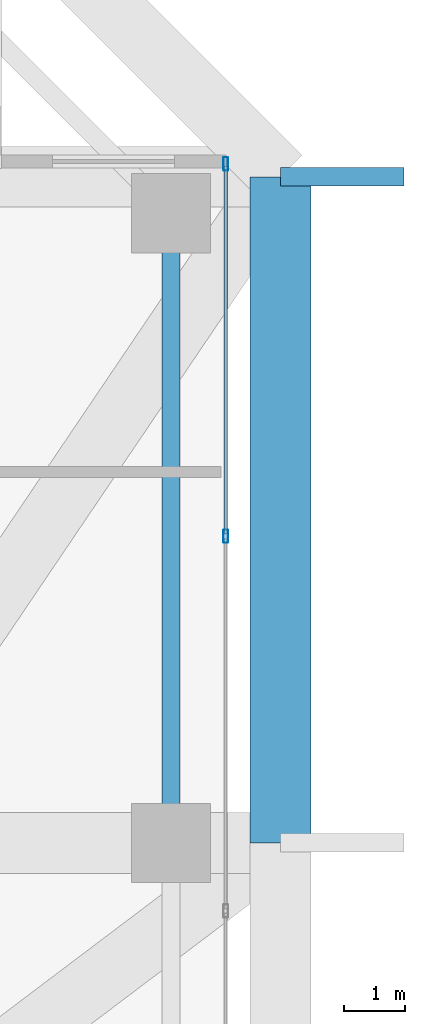
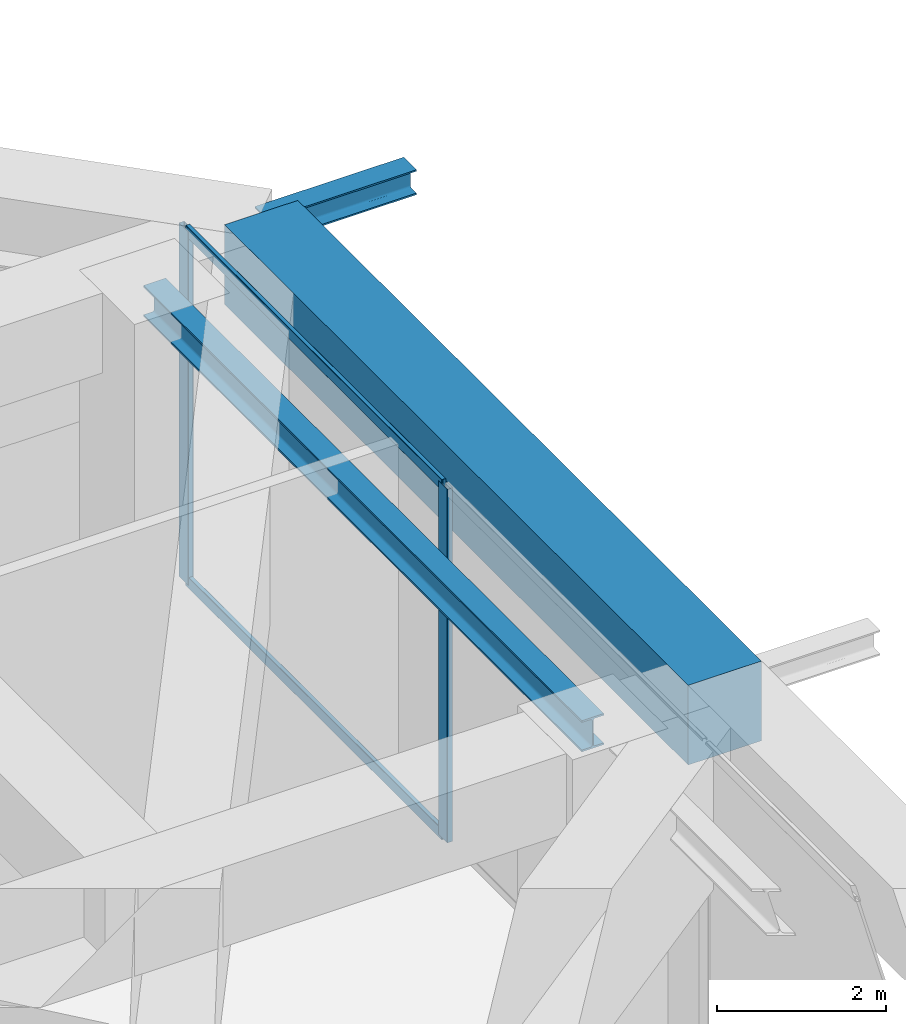
# One storey, part 29 of 38: 4 members, 3 beams, 1 element without a shape of its own.
"""IFC4 building model written with IfcOpenShell, lengths in metres."""

from ifc_helpers import new_model, si_unit, direction, frame, origin, origin_2d, place, context, subcontext, project, spatial, rectangle, hollow_rectangle, i_section, extrude, source, transform, mapped, material, layer, layer_set, material_profile, profile_set, type_object, element, aggregate, save


model = new_model("IFC4")

# Units and contexts
model_context = context("Model", 3, precision=1e-05, world=origin(), true_north=direction((0.0, 1.0)))
body_context = subcontext(model_context, "Body", "Model", "MODEL_VIEW")
ifc_project = project(units=[si_unit("LENGTHUNIT", "METRE"), si_unit("AREAUNIT", "SQUARE_METRE"), si_unit("VOLUMEUNIT", "CUBIC_METRE"), si_unit("PLANEANGLEUNIT", "RADIAN"), si_unit("MASSUNIT", "GRAM", prefix="KILO")], contexts=[model_context])

# Site, building, storey
site_placement = place(None, origin())
site = spatial("IfcSite", under=ifc_project, at=site_placement, CompositionType="ELEMENT")
building_placement = place(site_placement, origin())
building = spatial("IfcBuilding", under=site, at=building_placement, Name="Serunith Strait Residences", CompositionType="ELEMENT")
storey_placement = place(building_placement, frame((0.0, 0.0, 204.89990234375)))
storey = spatial("IfcBuildingStorey", under=building, at=storey_placement, Name="L51", CompositionType="ELEMENT", Elevation=204.89990234375)

# Beams
ifc_material_1 = material(Name="Steel S355J2", Category="steel")
ifc_material_profile_1 = material_profile(ifc_material_1, i_section(OverallWidth=0.300048828125, OverallDepth=0.360107421875, WebThickness=0.012451171875, FlangeThickness=0.0224609375, FilletRadius=0.027099609375, at=origin_2d()), Name="HEB 360")
ifc_profile_set_1 = profile_set([ifc_material_profile_1], Name="Steel S355J2")
beam_type_1 = type_object("IfcBeamType", Name="BM-HEB360", PredefinedType="BEAM", material=ifc_profile_set_1)
shared_shape_1 = source(origin(), body_context, "Body", "SweptSolid", [
    extrude(i_section(OverallWidth=0.300048828125, OverallDepth=0.360107421875, WebThickness=0.012451171875, FlangeThickness=0.0224609375, FilletRadius=0.027099609375, at=origin_2d()), origin(), (0.0, 0.0, 1.0), 2.030029296875),
])
beam_1_placement = place(storey_placement, frame((56.5, 40.35009765625, 4.927001953125), z_axis=(1.0, 0.0, 0.0), x_axis=(0.0, 1.0, 0.0)))
element("IfcBeam", 1, at=beam_1_placement, inside=storey, type_object=beam_type_1, Name="L52 Cantilevered Balcony Rib TC-E4", PredefinedType="BEAM", context=body_context, shape_type="MappedRepresentation", body=[
    mapped(shared_shape_1, transform((0.0, 0.0, 0.0), scale=1.0)),
])
ifc_material_profile_2 = material_profile(ifc_material_1, i_section(OverallWidth=0.300048828125, OverallDepth=0.449951171875, WebThickness=0.013916015625, FlangeThickness=0.02587890625, FilletRadius=0.027099609375, at=origin_2d()), Name="HEB 450")
ifc_profile_set_2 = profile_set([ifc_material_profile_2], Name="Steel S355J2")
beam_type_2 = type_object("IfcBeamType", Name="BM-HEB450", PredefinedType="BEAM", material=ifc_profile_set_2)
shared_shape_2 = source(origin(), body_context, "Body", "SweptSolid", [
    extrude(i_section(OverallWidth=0.300048828125, OverallDepth=0.449951171875, WebThickness=0.013916015625, FlangeThickness=0.02587890625, FilletRadius=0.027099609375, at=origin_2d()), origin(), (0.0, 0.0, 1.0), 10.35009765625),
])
beam_2_placement = place(storey_placement, frame((54.699951171875, 29.39990234375, 4.882080078125), z_axis=(0.0, 1.0, 0.0), x_axis=(-1.0, 0.0, 0.0)))
element("IfcBeam", 2, at=beam_2_placement, inside=storey, type_object=beam_type_2, Name="L51 Perimeter Ring Beam 07", PredefinedType="BEAM", context=body_context, shape_type="MappedRepresentation", body=[
    mapped(shared_shape_2, transform((0.0, 0.0, 0.0), scale=1.0)),
])
ifc_material_2 = material(Name="Concrete C80/95", Category="concrete")
ifc_material_profile_3 = material_profile(ifc_material_2, rectangle(XDim=1.0, YDim=1.14990234375, at=origin_2d()), Name="RC 1000x1150")
ifc_profile_set_3 = profile_set([ifc_material_profile_3], Name="Concrete C80/95")
beam_type_3 = type_object("IfcBeamType", Name="BM-XFER-1000x1150", PredefinedType="BEAM", material=ifc_profile_set_3)
shared_shape_3 = source(origin(), body_context, "Body", "SweptSolid", [
    extrude(rectangle(XDim=1.0, YDim=1.14990234375, at=origin_2d()), origin(), (0.0, 0.0, 1.0), 10.9501953125),
])
beam_3_placement = place(storey_placement, frame((56.5, 29.39990234375, 4.53515625), z_axis=(0.0, 1.0, 0.0), x_axis=(-1.0, 0.0, 0.0)))
element("IfcBeam", 3, at=beam_3_placement, inside=storey, type_object=beam_type_3, Name="L51 Flare Upper Ring Transfer Girder 07", PredefinedType="BEAM", context=body_context, shape_type="MappedRepresentation", body=[
    mapped(shared_shape_3, transform((0.0, 0.0, 0.0), scale=1.0)),
])

# Curtain wall, members
ifc_material_3 = material(Name="Pale-Silver PVDF Aluminium", Category="aluminium")
ifc_layer = layer(ifc_material_3, 0.199951171875, Name="Pale-Silver PVDF Aluminium")
ifc_layer_set = layer_set([ifc_layer], Name="Pale-Silver PVDF Aluminium")
curtain_wall_type = type_object("IfcCurtainWallType", Name="CW-SYS3", PredefinedType="NOTDEFINED", material=ifc_layer_set)
curtain_wall_placement = place(storey_placement, origin())
curtain_wall = element("IfcCurtainWall", 4, at=curtain_wall_placement, inside=storey, type_object=curtain_wall_type, Name="L51 E Unitised Fritted Curtain Wall", PredefinedType="NOTDEFINED")
ifc_material_profile_4 = material_profile(ifc_material_3, hollow_rectangle(XDim=0.074951171875, YDim=0.219970703125, WallThickness=0.00390625, InnerFilletRadius=0.006103515625, OuterFilletRadius=0.010009765625, at=origin_2d()), Name="ALU 220x75x4")
ifc_profile_set_4 = profile_set([ifc_material_profile_4], Name="Pale-Silver PVDF Aluminium")
member_type_1 = type_object("IfcMemberType", Name="CW-SYS3-MULL", PredefinedType="MULLION", material=ifc_profile_set_4)
shared_shape_4 = source(origin(), body_context, "Body", "SweptSolid", [
    extrude(hollow_rectangle(XDim=0.074951171875, YDim=0.219970703125, WallThickness=0.00390625, InnerFilletRadius=0.006103515625, OuterFilletRadius=0.010009765625, at=origin_2d()), origin(), (0.0, 0.0, 1.0), 5.09521484375),
])
member_1_placement = place(storey_placement, frame((55.60009765625, 34.43994140625, 0.0), z_axis=(0.0, 0.0, 1.0), x_axis=(-1.0, 0.0, 0.0)))
member_1 = element("IfcMember", 5, at=member_1_placement, type_object=member_type_1, Name="CW-3 mullion 5", PredefinedType="MULLION", context=body_context, shape_type="MappedRepresentation", body=[
    mapped(shared_shape_4, transform((0.0, 0.0, 0.0), scale=1.0)),
])
member_2_placement = place(storey_placement, frame((55.60009765625, 40.5625, 0.0), z_axis=(0.0, 0.0, 1.0), x_axis=(-1.0, 0.0, 0.0)))
member_2 = element("IfcMember", 6, at=member_2_placement, type_object=member_type_1, Name="CW-3 mullion 6", PredefinedType="MULLION", context=body_context, shape_type="MappedRepresentation", body=[
    mapped(shared_shape_4, transform((0.0, 0.0, 0.0), scale=1.0)),
])
ifc_material_profile_5 = material_profile(ifc_material_3, hollow_rectangle(XDim=0.06005859375, YDim=0.159912109375, WallThickness=0.00341796875, InnerFilletRadius=0.00537109375, OuterFilletRadius=0.0087890625, at=origin_2d()), Name="ALU 160x60x3.5")
ifc_profile_set_5 = profile_set([ifc_material_profile_5], Name="Pale-Silver PVDF Aluminium")
member_type_2 = type_object("IfcMemberType", Name="CW-SYS3-TRAN", PredefinedType="USERDEFINED", material=ifc_profile_set_5)
shared_shape_5 = source(origin(), body_context, "Body", "SweptSolid", [
    extrude(hollow_rectangle(XDim=0.06005859375, YDim=0.159912109375, WallThickness=0.00341796875, InnerFilletRadius=0.00537109375, OuterFilletRadius=0.0087890625, at=origin_2d()), origin(), (0.0, 0.0, 1.0), 6.04736328125),
])
member_3_placement = place(storey_placement, frame((55.60009765625, 34.4775390625, 0.030029296875), z_axis=(0.0, 1.0, 0.0), x_axis=(-1.0, 0.0, 0.0)))
member_3 = element("IfcMember", 7, at=member_3_placement, type_object=member_type_2, Name="CW-3 transom 5.1", ObjectType="TRANSOM", PredefinedType="USERDEFINED", context=body_context, shape_type="MappedRepresentation", body=[
    mapped(shared_shape_5, transform((0.0, 0.0, 0.0), scale=1.0)),
])
member_4_placement = place(storey_placement, frame((55.60009765625, 34.4775390625, 5.065185546875), z_axis=(0.0, 1.0, 0.0), x_axis=(-1.0, 0.0, 0.0)))
member_4 = element("IfcMember", 8, at=member_4_placement, type_object=member_type_2, Name="CW-3 transom 5.2", ObjectType="TRANSOM", PredefinedType="USERDEFINED", context=body_context, shape_type="MappedRepresentation", body=[
    mapped(shared_shape_5, transform((0.0, 0.0, 0.0), scale=1.0)),
])
aggregate(curtain_wall, [member_1, member_2, member_3, member_4])

save(model, "model.ifc")
